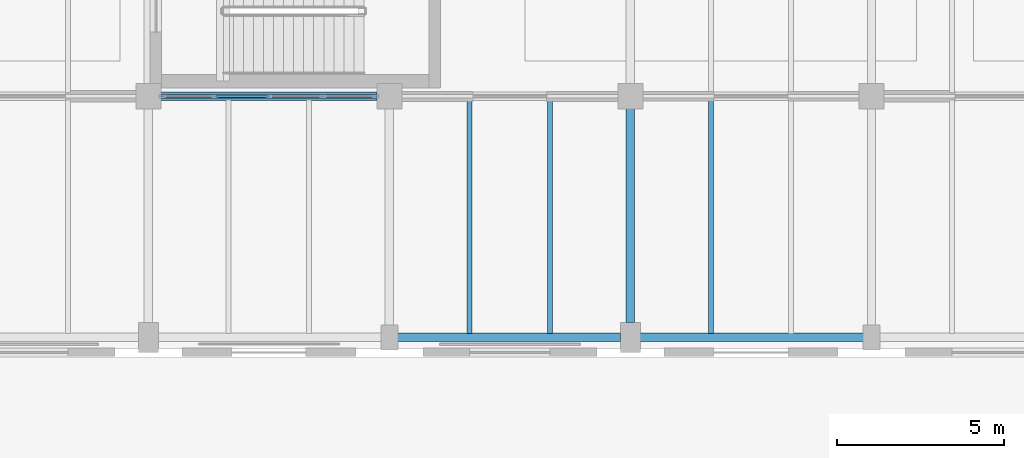
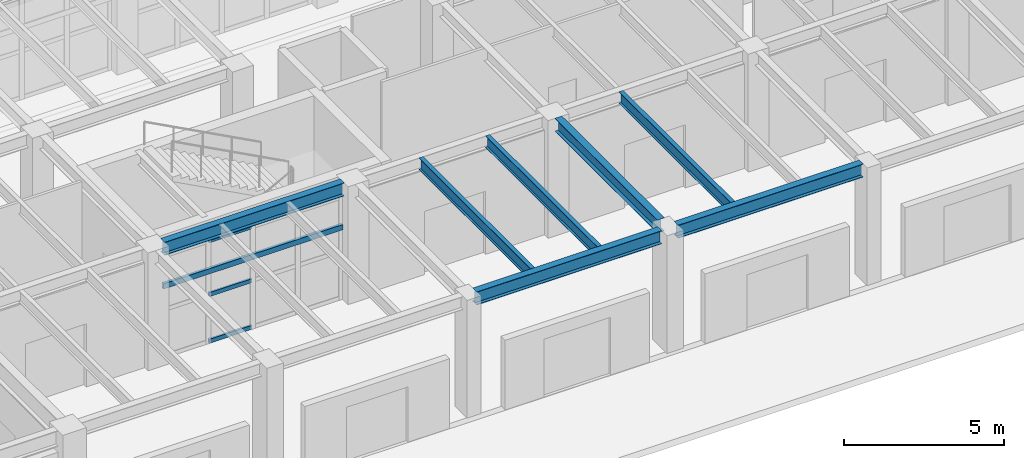
# One storey, part 8 of 39: 8 beams, 3 members, 1 element without a shape of its own.
"""IFC4 building model written with IfcOpenShell, lengths in metres."""

from ifc_helpers import new_model, si_unit, direction, frame, origin, origin_2d, place, context, subcontext, project, spatial, hollow_rectangle, i_section, extrude, material, layer, layer_set, material_profile, profile_set, type_object, element, aggregate, save


model = new_model("IFC4")

# Units and contexts
model_context = context("Model", 3, precision=1e-05, world=origin(), true_north=direction((0.0, 1.0)))
body_context = subcontext(model_context, "Body", "Model", "MODEL_VIEW")
ifc_project = project(units=[si_unit("LENGTHUNIT", "METRE"), si_unit("AREAUNIT", "SQUARE_METRE"), si_unit("VOLUMEUNIT", "CUBIC_METRE"), si_unit("PLANEANGLEUNIT", "RADIAN"), si_unit("MASSUNIT", "GRAM", prefix="KILO")], contexts=[model_context])

# Site, building, storey
site_placement = place(None, origin())
site = spatial("IfcSite", under=ifc_project, at=site_placement, CompositionType="ELEMENT")
building_placement = place(site_placement, origin())
building = spatial("IfcBuilding", under=site, at=building_placement, Name="Kandorven Conservatory and Botanical Research Centre", CompositionType="ELEMENT")
storey_placement = place(building_placement, origin())
storey = spatial("IfcBuildingStorey", under=building, at=storey_placement, Name="L00", CompositionType="ELEMENT", Elevation=0.0)

# Beams
ifc_material_1 = material(Name="Steel S355 (IS 2062 E350)", Category="steel")
ifc_material_profile_1 = material_profile(ifc_material_1, i_section(OverallWidth=0.25, OverallDepth=0.5, WebThickness=0.010009765625, FlangeThickness=0.0146484375, at=origin_2d()))
ifc_profile_set_1 = profile_set([ifc_material_profile_1], Name="Steel S355 (IS 2062 E350)")
beam_type_1 = type_object("IfcBeamType", Name="Beam_FG-02", PredefinedType="USERDEFINED", material=ifc_profile_set_1)
for number, where, z_axis, x_axis, name in (
    (1, (56.639892578125, 6.0, 4.22998046875), (1.0, 0.0, 0.0), (0.0, 1.0, 0.0), "Primary girder FG-02 VIS L00"),
    (2, (63.889892578125, 6.0, 4.22998046875), (1.0, 0.0, 0.0), (0.0, 1.0, 0.0), "Primary girder FG-02 VIS L00"),
):
    element("IfcBeam", number, at=place(storey_placement, frame(where, z_axis=z_axis, x_axis=x_axis)), inside=storey, type_object=beam_type_1, Name=name, ObjectType="GIRDER", PredefinedType="USERDEFINED", context=body_context, shape_type="SweptSolid", body=[
        extrude(i_section(OverallWidth=0.25, OverallDepth=0.5, WebThickness=0.010009765625, FlangeThickness=0.0146484375, at=origin_2d()), origin(), (0.0, 0.0, 1.0), 6.670166015625),
    ])
beam_1_placement = place(storey_placement, frame((49.56494140625, 13.199951171875, 4.22998046875), z_axis=(1.0, 0.0, 0.0), x_axis=(0.0, 1.0, 0.0)))
element("IfcBeam", 3, at=beam_1_placement, inside=storey, type_object=beam_type_1, Name="Primary girder FG-02 VIS L00", ObjectType="GIRDER", PredefinedType="USERDEFINED", context=body_context, shape_type="SweptSolid", body=[
    extrude(i_section(OverallWidth=0.25, OverallDepth=0.5, WebThickness=0.010009765625, FlangeThickness=0.0146484375, at=origin_2d()), origin(), (0.0, 0.0, 1.0), 6.469970703125),
])
beam_2_placement = place(storey_placement, frame((63.60009765625, 6.43994140625, 4.22998046875), z_axis=(0.0, 1.0, 0.0), x_axis=(-1.0, 0.0, 0.0)))
element("IfcBeam", 4, at=beam_2_placement, inside=storey, type_object=beam_type_1, Name="Primary girder FG-02 VIS L00", ObjectType="GIRDER", PredefinedType="USERDEFINED", context=body_context, shape_type="SweptSolid", body=[
    extrude(i_section(OverallWidth=0.25, OverallDepth=0.5, WebThickness=0.010009765625, FlangeThickness=0.0146484375, at=origin_2d()), origin(), (0.0, 0.0, 1.0), 6.39501953125),
])
ifc_material_2 = material(Name="Steel S355 (IS 2062 E350)", Category="steel")
ifc_material_profile_2 = material_profile(ifc_material_2, hollow_rectangle(XDim=0.10009765625, YDim=0.199951171875, WallThickness=0.008056640625, at=origin_2d()))
ifc_profile_set_2 = profile_set([ifc_material_profile_2], Name="Steel S355 (IS 2062 E350)")
beam_type_2 = type_object("IfcBeamType", Name="Beam_LN-01", PredefinedType="LINTEL", material=ifc_profile_set_2)
beam_3_placement = place(storey_placement, frame((49.574951171875, 13.199951171875, 2.75), z_axis=(1.0, 0.0, 0.0), x_axis=(0.0, 1.0, 0.0)))
element("IfcBeam", 5, at=beam_3_placement, inside=storey, type_object=beam_type_2, Name="Column-to-column opening transom lintel LN-01 L00-2-1", PredefinedType="LINTEL", context=body_context, shape_type="SweptSolid", body=[
    extrude(hollow_rectangle(XDim=0.10009765625, YDim=0.199951171875, WallThickness=0.008056640625, at=origin_2d()), origin(), (0.0, 0.0, 1.0), 6.449951171875),
])
ifc_material_3 = material(Name="Steel S355 (IS 2062 E350)", Category="steel")
ifc_material_profile_3 = material_profile(ifc_material_3, i_section(OverallWidth=0.14990234375, OverallDepth=0.449951171875, WebThickness=0.009521484375, FlangeThickness=0.017333984375, at=origin_2d()))
ifc_profile_set_3 = profile_set([ifc_material_profile_3], Name="Steel S355 (IS 2062 E350)")
beam_type_3 = type_object("IfcBeamType", Name="Beam_SB-04", PredefinedType="BEAM", material=ifc_profile_set_3)
for number, where, z_axis, x_axis, name in (
    (6, (58.800048828125, 6.110107421875, 4.2548828125), (0.0, 1.0, 0.0), (-1.0, 0.0, 0.0), "Composite secondary beam SB-04 VIS L00"),
    (7, (61.199951171875, 6.110107421875, 4.2548828125), (0.0, 1.0, 0.0), (-1.0, 0.0, 0.0), "Composite secondary beam SB-04 VIS L00"),
    (8, (66.0, 6.110107421875, 4.2548828125), (0.0, 1.0, 0.0), (-1.0, 0.0, 0.0), "Composite secondary beam SB-04 VIS L00"),
):
    element("IfcBeam", number, at=place(storey_placement, frame(where, z_axis=z_axis, x_axis=x_axis)), inside=storey, type_object=beam_type_3, Name=name, PredefinedType="BEAM", context=body_context, shape_type="SweptSolid", body=[
        extrude(i_section(OverallWidth=0.14990234375, OverallDepth=0.449951171875, WebThickness=0.009521484375, FlangeThickness=0.017333984375, at=origin_2d()), origin(), (0.0, 0.0, 1.0), 6.97998046875),
    ])

# Curtain wall, members
ifc_material_4 = material(Name="Bronze anodised thermally broken aluminium", Category="aluminium")
ifc_layer = layer(ifc_material_4, 0.179931640625)
ifc_layer_set = layer_set([ifc_layer], Name="Bronze anodised thermally broken aluminium")
curtain_wall_type = type_object("IfcCurtainWallType", Name="CW_Unitised", PredefinedType="USERDEFINED", material=ifc_layer_set)
curtain_wall_placement = place(storey_placement, origin())
curtain_wall = element("IfcCurtainWall", 9, at=curtain_wall_placement, inside=storey, type_object=curtain_wall_type, Name="Visitor wing unitised curtain wall CW-VIS-S-L00-2", ObjectType="UNITISED GLAZING", PredefinedType="USERDEFINED")
ifc_material_5 = material(Name="Bronze anodised thermally broken aluminium", Category="aluminium")
ifc_material_profile_4 = material_profile(ifc_material_5, hollow_rectangle(XDim=0.074951171875, YDim=0.14990234375, WallThickness=0.006103515625, at=origin_2d()))
ifc_profile_set_4 = profile_set([ifc_material_profile_4], Name="Bronze anodised thermally broken aluminium")
member_type = type_object("IfcMemberType", Name="CW_Transom", PredefinedType="USERDEFINED", material=ifc_profile_set_4)
member_1_placement = place(storey_placement, frame((51.2275390625, 13.199951171875, 0.074951171875), z_axis=(1.0, 0.0, 0.0), x_axis=(0.0, 1.0, 0.0)))
member_1 = element("IfcMember", 10, at=member_1_placement, type_object=member_type, Name="CW-01 transom 2.1", ObjectType="TRANSOM", PredefinedType="USERDEFINED", context=body_context, shape_type="SweptSolid", body=[
    extrude(hollow_rectangle(XDim=0.074951171875, YDim=0.14990234375, WallThickness=0.006103515625, at=origin_2d()), origin(), (0.0, 0.0, 1.0), 1.532470703125),
])
member_2_placement = place(storey_placement, frame((51.2275390625, 13.199951171875, 1.85009765625), z_axis=(1.0, 0.0, 0.0), x_axis=(0.0, 1.0, 0.0)))
member_2 = element("IfcMember", 11, at=member_2_placement, type_object=member_type, Name="CW-01 transom 2.2", ObjectType="TRANSOM", PredefinedType="USERDEFINED", context=body_context, shape_type="SweptSolid", body=[
    extrude(hollow_rectangle(XDim=0.074951171875, YDim=0.14990234375, WallThickness=0.006103515625, at=origin_2d()), origin(), (0.0, 0.0, 1.0), 1.532470703125),
])
member_3_placement = place(storey_placement, frame((51.2275390625, 13.199951171875, 3.89501953125), z_axis=(1.0, 0.0, 0.0), x_axis=(0.0, 1.0, 0.0)))
member_3 = element("IfcMember", 12, at=member_3_placement, type_object=member_type, Name="CW-01 transom 2.3", ObjectType="TRANSOM", PredefinedType="USERDEFINED", context=body_context, shape_type="SweptSolid", body=[
    extrude(hollow_rectangle(XDim=0.074951171875, YDim=0.14990234375, WallThickness=0.006103515625, at=origin_2d()), origin(), (0.0, 0.0, 1.0), 1.532470703125),
])
aggregate(curtain_wall, [member_1, member_2, member_3])

save(model, "model.ifc")
